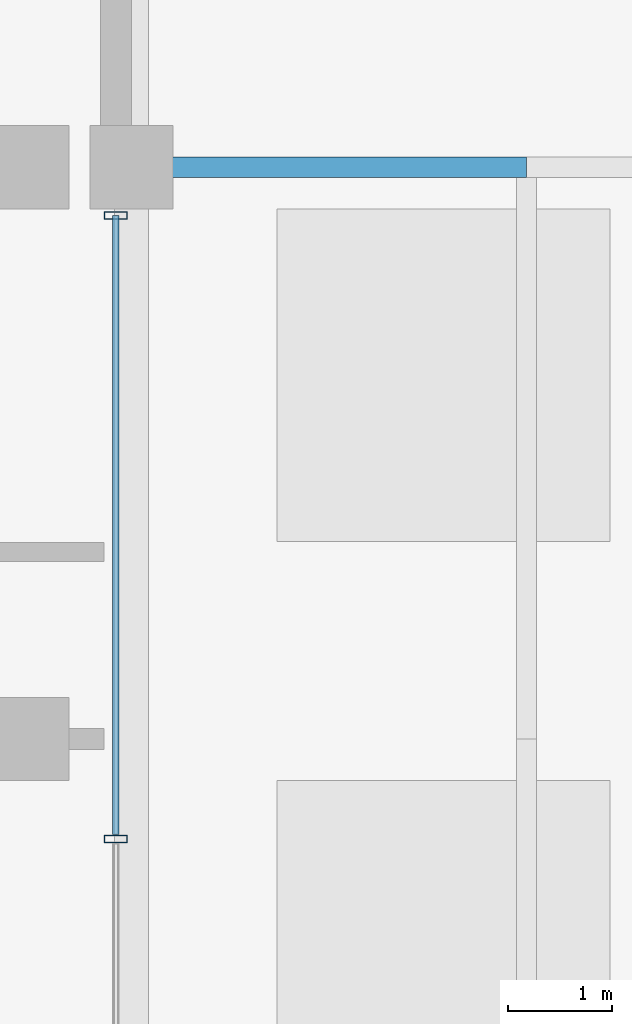
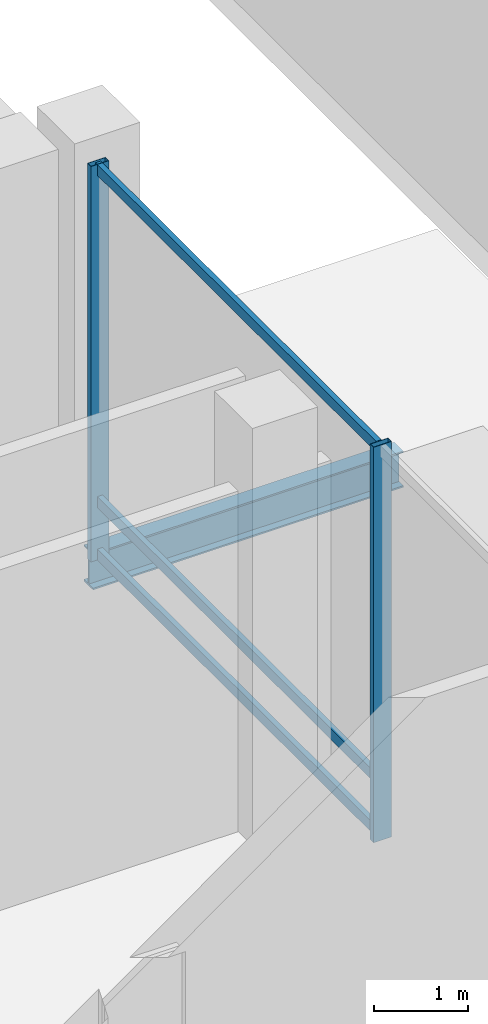
# One storey, part 19 of 36: 5 members, 1 beam, 1 element without a shape of its own.
"""IFC4 building model written with IfcOpenShell, lengths in metres."""

from ifc_helpers import new_model, si_unit, direction, frame, origin, origin_2d, place, context, subcontext, project, spatial, hollow_rectangle, i_section, extrude, material, layer, layer_set, material_profile, profile_set, type_object, element, aggregate, save


model = new_model("IFC4")

# Units and contexts
model_context = context("Model", 3, precision=1e-05, world=origin(), true_north=direction((0.0, 1.0)))
body_context = subcontext(model_context, "Body", "Model", "MODEL_VIEW")
ifc_project = project(units=[si_unit("LENGTHUNIT", "METRE"), si_unit("AREAUNIT", "SQUARE_METRE"), si_unit("VOLUMEUNIT", "CUBIC_METRE"), si_unit("PLANEANGLEUNIT", "RADIAN"), si_unit("MASSUNIT", "GRAM", prefix="KILO")], contexts=[model_context])

# Site, building, storey
site_placement = place(None, origin())
site = spatial("IfcSite", under=ifc_project, at=site_placement, CompositionType="ELEMENT")
building_placement = place(site_placement, origin())
building = spatial("IfcBuilding", under=site, at=building_placement, Name="Barlavira Tower and Art Museum", CompositionType="ELEMENT")
storey_placement = place(building_placement, frame((0.0, 0.0, 11.39990234375)))
storey = spatial("IfcBuildingStorey", under=building, at=storey_placement, Name="L02", CompositionType="ELEMENT", Elevation=11.39990234375)

# Beam
ifc_material_1 = material(Name="Steel S355", Category="steel")
ifc_material_profile_1 = material_profile(ifc_material_1, i_section(OverallWidth=0.194091796875, OverallDepth=0.468994140625, WebThickness=0.0126953125, FlangeThickness=0.0205078125, at=origin_2d()), Name="W460x106.0")
ifc_profile_set_1 = profile_set([ifc_material_profile_1], Name="Steel S355")
beam_type = type_object("IfcBeamType", Name="Covered Arcade Roof Girder W460x106 Steel S355", PredefinedType="BEAM", material=ifc_profile_set_1)
beam_placement = place(storey_placement, frame((23.0, 13.0, -0.46435546875), z_axis=(1.0, 0.0, 0.0), x_axis=(0.0, 1.0, 0.0)))
element("IfcBeam", 1, at=beam_placement, inside=storey, type_object=beam_type, Name="L02 Arcade West Girder 2", PredefinedType="BEAM", context=body_context, shape_type="SweptSolid", body=[
    extrude(i_section(OverallWidth=0.194091796875, OverallDepth=0.468994140625, WebThickness=0.0126953125, FlangeThickness=0.0205078125, at=origin_2d()), origin(), (0.0, 0.0, 1.0), 3.800048828125),
])

# Curtain wall, members
ifc_material_2 = material(Name="Low-iron coastal laminated glass", Category="glass")
ifc_layer = layer(ifc_material_2, 0.219970703125, Name="Low-iron coastal laminated glass")
ifc_layer_set = layer_set([ifc_layer], Name="Low-iron coastal laminated glass")
curtain_wall_type = type_object("IfcCurtainWallType", Name="Double-Height Podium Arcade Storefront Curtain Wall", PredefinedType="NOTDEFINED", material=ifc_layer_set)
curtain_wall_placement = place(storey_placement, origin())
curtain_wall = element("IfcCurtainWall", 2, at=curtain_wall_placement, inside=storey, type_object=curtain_wall_type, Name="L02 Curtain Wall CW5-L02-EN", PredefinedType="NOTDEFINED")
ifc_material_3 = material(Name="Pale anodised aluminium", Category="aluminium")
ifc_material_profile_2 = material_profile(ifc_material_3, hollow_rectangle(XDim=0.074951171875, YDim=0.219970703125, WallThickness=0.0048828125, at=origin_2d()), Name="ALU-MULL 75x220x5")
ifc_profile_set_2 = profile_set([ifc_material_profile_2], Name="Pale anodised aluminium")
member_type_1 = type_object("IfcMemberType", Name="Curtain Wall Heavy Pale-Metal Mullion 75x220", PredefinedType="MULLION", material=ifc_profile_set_2)
member_1_placement = place(storey_placement, frame((22.85009765625, 6.5400390625, 0.0), z_axis=(0.0, 0.0, 1.0), x_axis=(0.0, 1.0, 0.0)))
member_1 = element("IfcMember", 3, at=member_1_placement, type_object=member_type_1, Name="CW5-L02-EN Mullion 1", PredefinedType="MULLION", context=body_context, shape_type="SweptSolid", body=[
    extrude(hollow_rectangle(XDim=0.074951171875, YDim=0.219970703125, WallThickness=0.0048828125, at=origin_2d()), origin(), (0.0, 0.0, 1.0), 5.1201171875),
])
member_2_placement = place(storey_placement, frame((22.85009765625, 12.534912109375, 0.0), z_axis=(0.0, 0.0, 1.0), x_axis=(0.0, 1.0, 0.0)))
member_2 = element("IfcMember", 4, at=member_2_placement, type_object=member_type_1, Name="CW5-L02-EN Mullion 2", PredefinedType="MULLION", context=body_context, shape_type="SweptSolid", body=[
    extrude(hollow_rectangle(XDim=0.074951171875, YDim=0.219970703125, WallThickness=0.0048828125, at=origin_2d()), origin(), (0.0, 0.0, 1.0), 5.1201171875),
])
ifc_material_profile_3 = material_profile(ifc_material_3, hollow_rectangle(XDim=0.06494140625, YDim=0.139892578125, WallThickness=0.00390625, at=origin_2d()), Name="ALU-TRAN 65x140x4")
ifc_profile_set_3 = profile_set([ifc_material_profile_3], Name="Pale anodised aluminium")
member_type_2 = type_object("IfcMemberType", Name="Curtain Wall Pale-Metal Transom 65x140", PredefinedType="USERDEFINED", material=ifc_profile_set_3)
member_3_placement = place(storey_placement, frame((22.85009765625, 6.5849609375, 0.070068359375), z_axis=(0.0, 1.0, 0.0), x_axis=(-1.0, 0.0, 0.0)))
member_3 = element("IfcMember", 5, at=member_3_placement, type_object=member_type_2, Name="CW5-L02-EN Transom 1.1", ObjectType="TRANSOM", PredefinedType="USERDEFINED", context=body_context, shape_type="SweptSolid", body=[
    extrude(hollow_rectangle(XDim=0.06494140625, YDim=0.139892578125, WallThickness=0.00390625, at=origin_2d()), origin(), (0.0, 0.0, 1.0), 5.949951171875),
])
member_4_placement = place(storey_placement, frame((22.85009765625, 6.5849609375, 0.75), z_axis=(0.0, 1.0, 0.0), x_axis=(-1.0, 0.0, 0.0)))
member_4 = element("IfcMember", 6, at=member_4_placement, type_object=member_type_2, Name="CW5-L02-EN Transom 1.2", ObjectType="TRANSOM", PredefinedType="USERDEFINED", context=body_context, shape_type="SweptSolid", body=[
    extrude(hollow_rectangle(XDim=0.06494140625, YDim=0.139892578125, WallThickness=0.00390625, at=origin_2d()), origin(), (0.0, 0.0, 1.0), 5.949951171875),
])
member_5_placement = place(storey_placement, frame((22.85009765625, 6.5849609375, 5.050048828125), z_axis=(0.0, 1.0, 0.0), x_axis=(-1.0, 0.0, 0.0)))
member_5 = element("IfcMember", 7, at=member_5_placement, type_object=member_type_2, Name="CW5-L02-EN Transom 1.3", ObjectType="TRANSOM", PredefinedType="USERDEFINED", context=body_context, shape_type="SweptSolid", body=[
    extrude(hollow_rectangle(XDim=0.06494140625, YDim=0.139892578125, WallThickness=0.00390625, at=origin_2d()), origin(), (0.0, 0.0, 1.0), 5.949951171875),
])
aggregate(curtain_wall, [member_1, member_2, member_3, member_4, member_5])

save(model, "model.ifc")
